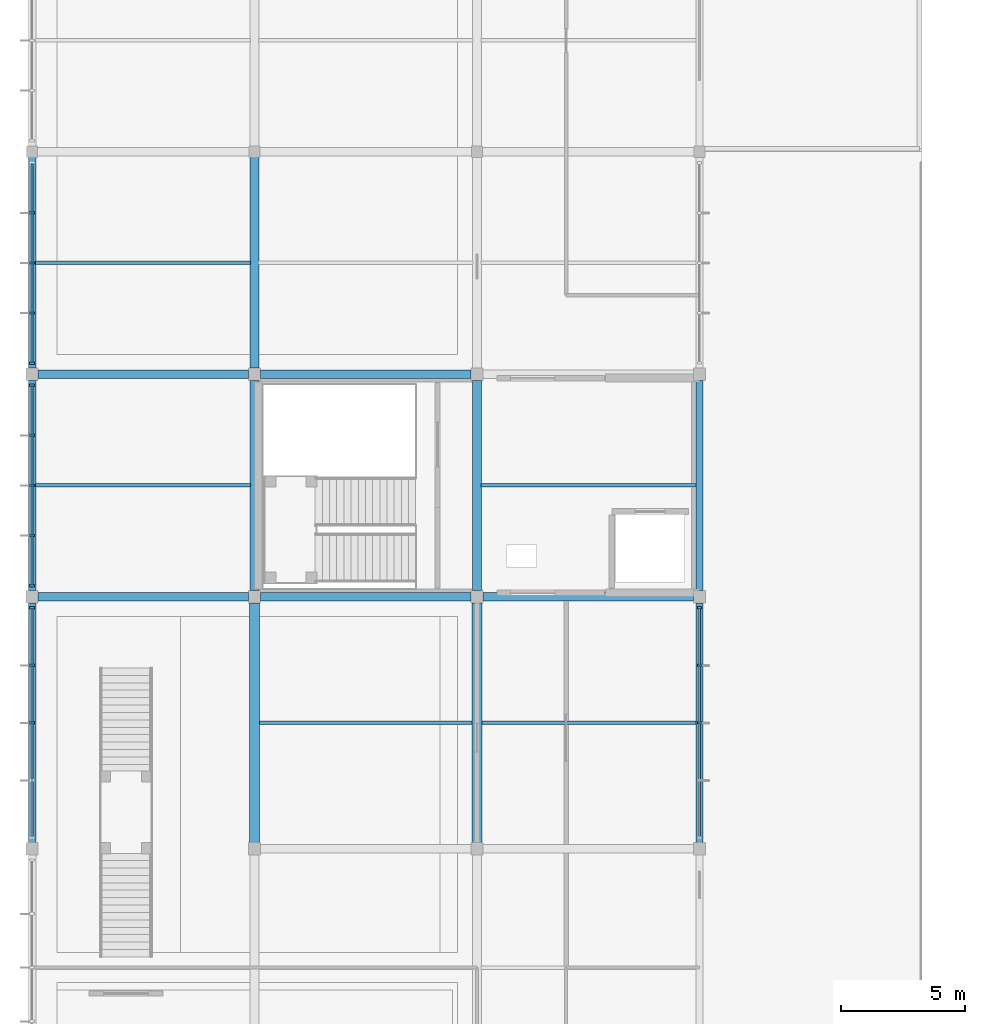
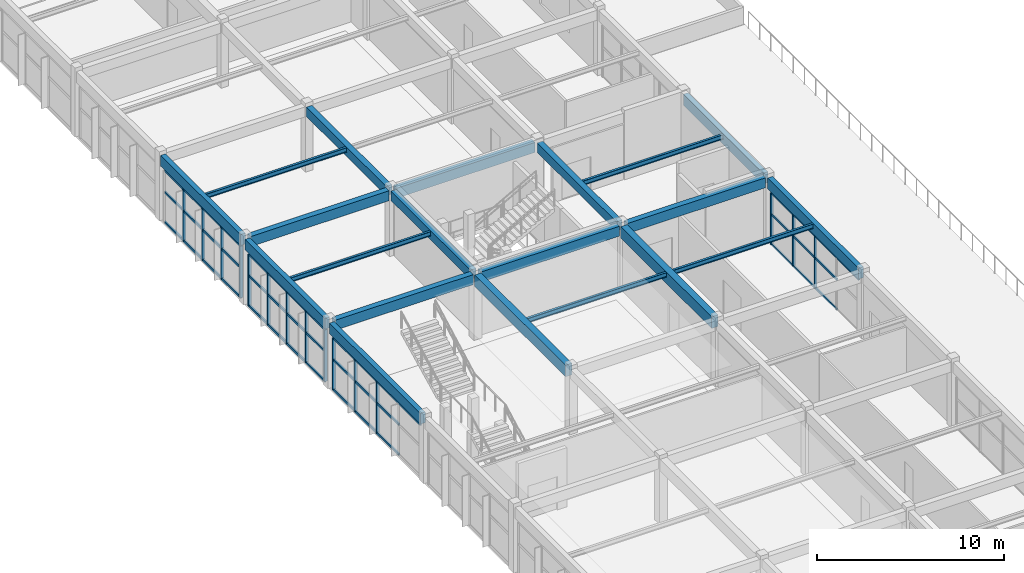
# One storey, part 5 of 22: 47 members, 20 beams, 4 elements without a shape of their own.
"""IFC4 building model written with IfcOpenShell, lengths in metres."""

import ifcopenshell
import ifcopenshell.guid

model = None  # the IFC model being written
_history = None  # IfcOwnerHistory: only IFC2X3 demands one
_inside = {}  # id of a spatial element -> (the spatial element, [elements in it])
_under = {}  # id of a project, library or spatial element -> (it, [spatial elements below it])
_declared = {}  # id of a project -> (the project, [libraries it declares])
_typed = {}  # id of a type object -> (the type object, [elements of that type])
_made_of = {}  # id of a material, layer set ... -> (it, [elements and type objects made of it])


def new_model(schema):
    """Start an empty IFC model of exactly this schema.

    Asked for "IFC4X3", IfcOpenShell would pick the latest addendum, in which some entities
    have other attributes; the version numbers below select the first issue.
    IFC2X3 requires an IfcOwnerHistory on every rooted entity: one is made here for all.
    """
    global model, _history
    if schema == "IFC4X3":
        model = ifcopenshell.file(schema_version=(4, 3, 0, 0))
    else:
        model = ifcopenshell.file(schema=schema)
    _inside.clear()
    _under.clear()
    _declared.clear()
    _typed.clear()
    _made_of.clear()
    _history = None
    if model.schema == "IFC2X3":
        org = make("IfcOrganization", Name="unknown")
        user = make(
            "IfcPersonAndOrganization",
            ThePerson=make("IfcPerson", FamilyName="unknown"),
            TheOrganization=org,
        )
        app = make(
            "IfcApplication",
            ApplicationDeveloper=org,
            Version="unknown",
            ApplicationFullName="unknown",
            ApplicationIdentifier="unknown",
        )
        _history = make(
            "IfcOwnerHistory",
            OwningUser=user,
            OwningApplication=app,
            ChangeAction="ADDED",
            CreationDate=0,
        )
    return model


def make(cls, **values):
    """One entity of the class cls with the attributes given. An attribute that is None is left unset."""
    return model.create_entity(
        cls, **{name: value for name, value in values.items() if value is not None}
    )


def rooted(cls, **values):
    """An entity with a GlobalId (a new one), such as an element, a storey or a relation."""
    return make(cls, GlobalId=ifcopenshell.guid.new(), OwnerHistory=_history, **values)


def si_unit(unit_type, name, prefix=None):
    """IfcSIUnit, for example si_unit("LENGTHUNIT", "METRE", prefix="MILLI")."""
    return make("IfcSIUnit", UnitType=unit_type, Prefix=prefix, Name=name)


def assignment(units):
    """IfcUnitAssignment: the units of a project."""
    return None if units is None else make("IfcUnitAssignment", Units=units)


def point(xyz):
    """IfcCartesianPoint."""
    return None if xyz is None else make("IfcCartesianPoint", Coordinates=xyz)


def direction(xyz):
    """IfcDirection."""
    return None if xyz is None else make("IfcDirection", DirectionRatios=xyz)


def frame(location, z_axis=None, x_axis=None):
    """IfcAxis2Placement3D, a coordinate frame: its origin and axes. An axis left out is left unset."""
    return make(
        "IfcAxis2Placement3D",
        Location=point(location),
        Axis=direction(z_axis),
        RefDirection=direction(x_axis),
    )


def frame_2d(location, x_axis=None):
    """IfcAxis2Placement2D, a coordinate frame in the plane: its origin and x axis."""
    return make(
        "IfcAxis2Placement2D", Location=point(location), RefDirection=direction(x_axis)
    )


def origin():
    """The frame at (0, 0, 0) with its axes left unset."""
    return frame((0.0, 0.0, 0.0))


def origin_2d():
    """The frame at (0, 0) in the plane with its x axis left unset."""
    return frame_2d((0.0, 0.0))


def place(relative_to, where):
    """IfcLocalPlacement: puts the frame where relative to a parent placement (None: the world)."""
    return make(
        "IfcLocalPlacement", PlacementRelTo=relative_to, RelativePlacement=where
    )


def context(
    kind, dimensions, precision=None, world=None, true_north=None, identifier=None
):
    """IfcGeometricRepresentationContext, for example the 3D "Model" context."""
    return make(
        "IfcGeometricRepresentationContext",
        ContextIdentifier=identifier,
        ContextType=kind,
        CoordinateSpaceDimension=dimensions,
        Precision=precision,
        WorldCoordinateSystem=world,
        TrueNorth=true_north,
    )


def subcontext(parent, identifier, kind, view, scale=None):
    """IfcGeometricRepresentationSubContext, for example "Body" below "Model"."""
    return make(
        "IfcGeometricRepresentationSubContext",
        ContextIdentifier=identifier,
        ContextType=kind,
        ParentContext=parent,
        TargetScale=scale,
        TargetView=view,
    )


def project(units=None, contexts=None):
    """IfcProject with its units and contexts."""
    return rooted(
        "IfcProject",
        Name="project",
        RepresentationContexts=contexts,
        UnitsInContext=assignment(units),
    )


def spatial(cls, under=None, at=None, **own):
    """A site, building, storey or space (cls), placed at a placement, below another one or the project."""
    s = rooted(cls, ObjectPlacement=at, **own)
    if under is not None:
        _under.setdefault(under.id(), (under, []))[1].append(s)
    return s


def profile(cls, at=None, kind="AREA", **sizes):
    """A parametric profile (cls). Its sizes go by their IFC names, for example OverallWidth=200.0."""
    return make(cls, ProfileType=kind, Position=at, **sizes)


def rectangle(**sizes):
    """IfcRectangleProfileDef."""
    return profile("IfcRectangleProfileDef", **sizes)


def i_section(**sizes):
    """IfcIShapeProfileDef."""
    return profile("IfcIShapeProfileDef", **sizes)


def extrude(swept, where, along, depth):
    """IfcExtrudedAreaSolid: the profile swept, set in the frame where, extruded along a direction by depth."""
    return make(
        "IfcExtrudedAreaSolid",
        SweptArea=swept,
        Position=where,
        ExtrudedDirection=direction(along),
        Depth=depth,
    )


def shape(context_of_items, identifier, shape_type, items):
    """IfcShapeRepresentation: the items that make up one representation, for example the "Body"."""
    return make(
        "IfcShapeRepresentation",
        ContextOfItems=context_of_items,
        RepresentationIdentifier=identifier,
        RepresentationType=shape_type,
        Items=items,
    )


def material(Name=None, Category=None):
    """IfcMaterial."""
    return make("IfcMaterial", Name=Name, Category=Category)


def material_profile(
    of_material, cross_section, Name=None, Category=None, Priority=None
):
    """IfcMaterialProfile: a cross section and its material."""
    return make(
        "IfcMaterialProfile",
        Name=Name,
        Material=of_material,
        Profile=cross_section,
        Priority=Priority,
        Category=Category,
    )


def profile_set(profiles, Name=None, composite=None):
    """IfcMaterialProfileSet."""
    return make(
        "IfcMaterialProfileSet",
        Name=Name,
        MaterialProfiles=profiles,
        CompositeProfile=composite,
    )


def made_of(thing, what):
    """Note that an element or type object is made of a material, layer set ...; save() writes the relation."""
    if what is not None:
        _made_of.setdefault(what.id(), (what, []))[1].append(thing)
    return thing


def type_object(cls, material=None, **own):
    """A type object (cls), such as IfcWallType, which elements share."""
    return made_of(rooted(cls, **own), material)


def element(
    cls,
    number,
    at=None,
    inside=None,
    cuts=None,
    type_object=None,
    material=None,
    context=None,
    identifier="Body",
    shape_type=None,
    held_by="IfcProductDefinitionShape",
    body=None,
    shapes=None,
    **own,
):
    """One element of the class cls, such as IfcWall. Its Tag is "e" and its number.

    at: its placement. inside: the storey or other place that contains it. cuts: it is an
    opening in that element (IfcRelVoidsElement). A single representation is given by context,
    identifier, shape_type and body (its items); several are given by shapes. held_by: the class
    of the entity that holds the representations. save() writes the other relations.
    """
    e = rooted(cls, Tag="e%d" % number, ObjectPlacement=at, **own)
    if body is not None:
        shapes = [shape(context, identifier, shape_type, body)]
    if shapes is not None:
        e.Representation = make(held_by, Representations=shapes)
    if inside is not None:
        _inside.setdefault(inside.id(), (inside, []))[1].append(e)
    if cuts is not None:
        rooted(
            "IfcRelVoidsElement", RelatingBuildingElement=cuts, RelatedOpeningElement=e
        )
    if type_object is not None:
        _typed.setdefault(type_object.id(), (type_object, []))[1].append(e)
    return made_of(e, material)


def aggregate(whole, parts):
    """IfcRelAggregates: a whole, such as a stair, and the parts it consists of."""
    return rooted("IfcRelAggregates", RelatingObject=whole, RelatedObjects=parts)


def save(model, path):
    """Write the relations noted so far, then the file.

    IfcRelAggregates (storeys below a building ...), IfcRelContainedInSpatialStructure (elements
    in a storey), IfcRelDefinesByType, IfcRelAssociatesMaterial and IfcRelDeclares: one each for
    every whole, place, type object, material and project.
    """
    for whole, parts in _under.values():
        aggregate(whole, parts)
    for where, things in _inside.values():
        rooted(
            "IfcRelContainedInSpatialStructure",
            RelatedElements=things,
            RelatingStructure=where,
        )
    for kind, things in _typed.values():
        rooted("IfcRelDefinesByType", RelatedObjects=things, RelatingType=kind)
    for what, things in _made_of.values():
        rooted("IfcRelAssociatesMaterial", RelatedObjects=things, RelatingMaterial=what)
    for by, libraries in _declared.values():
        rooted("IfcRelDeclares", RelatingContext=by, RelatedDefinitions=libraries)
    model.write(path)


model = new_model("IFC4")

# Units and contexts
model_context = context("Model", 3, precision=1e-05, world=origin(), true_north=direction((0.0, 1.0)))
body_context = subcontext(model_context, "Body", "Model", "MODEL_VIEW")
ifc_project = project(units=[si_unit("LENGTHUNIT", "METRE"), si_unit("AREAUNIT", "SQUARE_METRE"), si_unit("VOLUMEUNIT", "CUBIC_METRE"), si_unit("PLANEANGLEUNIT", "RADIAN"), si_unit("MASSUNIT", "GRAM", prefix="KILO")], contexts=[model_context])

# Site, building, storey
site_placement = place(None, origin())
site = spatial("IfcSite", under=ifc_project, at=site_placement, CompositionType="ELEMENT")
building_placement = place(site_placement, origin())
building = spatial("IfcBuilding", under=site, at=building_placement, Name="Suirenkawa Promenade Aquatics Centre", CompositionType="ELEMENT")
storey_placement = place(building_placement, frame((0.0, 0.0, 14.10009765625)))
storey = spatial("IfcBuildingStorey", under=building, at=storey_placement, Name="L03", CompositionType="ELEMENT", Elevation=14.10009765625)

# Beams
ifc_material_1 = material(Name="Steel IS 2062 E350 (Grade 350)", Category="steel")
ifc_material_profile_1 = material_profile(ifc_material_1, i_section(OverallWidth=0.139892578125, OverallDepth=0.300048828125, WebThickness=0.008056640625, FlangeThickness=0.012939453125, at=origin_2d()), Name="ISMB 300", Category="steel")
ifc_profile_set_1 = profile_set([ifc_material_profile_1], Name="Steel IS 2062 E350 (Grade 350)")
beam_type_1 = type_object("IfcBeamType", Name="BT-JOIST-ISMB300", PredefinedType="JOIST", material=ifc_profile_set_1)
for number, where, z_axis, x_axis, name in (
    (1, (0.14404296875, 63.89990234375, 4.097900390625), (1.0, 0.0, 0.0), (0.0, 1.0, 0.0), "Secondary floor joist JS-02 BM-0813"),
    (2, (0.14404296875, 72.89990234375, 4.097900390625), (1.0, 0.0, 0.0), (0.0, 1.0, 0.0), "Secondary floor joist JS-02 BM-0814"),
):
    element("IfcBeam", number, at=place(storey_placement, frame(where, z_axis=z_axis, x_axis=x_axis)), inside=storey, type_object=beam_type_1, Name=name, PredefinedType="JOIST", context=body_context, shape_type="SweptSolid", body=[
        extrude(i_section(OverallWidth=0.139892578125, OverallDepth=0.300048828125, WebThickness=0.008056640625, FlangeThickness=0.012939453125, at=origin_2d()), origin(), (0.0, 0.0, 1.0), 8.68701171875),
    ])
beam_1_placement = place(storey_placement, frame((9.194091796875, 54.300048828125, 4.097900390625), z_axis=(1.0, 0.0, 0.0), x_axis=(0.0, 1.0, 0.0)))
element("IfcBeam", 3, at=beam_1_placement, inside=storey, type_object=beam_type_1, Name="Secondary floor joist JS-02 BM-0821", PredefinedType="JOIST", context=body_context, shape_type="SweptSolid", body=[
    extrude(i_section(OverallWidth=0.139892578125, OverallDepth=0.300048828125, WebThickness=0.008056640625, FlangeThickness=0.012939453125, at=origin_2d()), origin(), (0.0, 0.0, 1.0), 8.61181640625),
])
beam_2_placement = place(storey_placement, frame((18.194091796875, 54.300048828125, 4.097900390625), z_axis=(1.0, 0.0, 0.0), x_axis=(0.0, 1.0, 0.0)))
element("IfcBeam", 4, at=beam_2_placement, inside=storey, type_object=beam_type_1, Name="Secondary floor joist JS-02 BM-0830", PredefinedType="JOIST", context=body_context, shape_type="SweptSolid", body=[
    extrude(i_section(OverallWidth=0.139892578125, OverallDepth=0.300048828125, WebThickness=0.008056640625, FlangeThickness=0.012939453125, at=origin_2d()), origin(), (0.0, 0.0, 1.0), 8.661865234375),
])
beam_3_placement = place(storey_placement, frame((18.1689453125, 63.89990234375, 4.097900390625), z_axis=(1.0, 0.0, 0.0), x_axis=(0.0, 1.0, 0.0)))
element("IfcBeam", 5, at=beam_3_placement, inside=storey, type_object=beam_type_1, Name="Secondary floor joist JS-02 BM-0831", PredefinedType="JOIST", context=body_context, shape_type="SweptSolid", body=[
    extrude(i_section(OverallWidth=0.139892578125, OverallDepth=0.300048828125, WebThickness=0.008056640625, FlangeThickness=0.012939453125, at=origin_2d()), origin(), (0.0, 0.0, 1.0), 8.68701171875),
])
ifc_material_2 = material(Name="Concrete M35", Category="concrete")
ifc_material_profile_2 = material_profile(ifc_material_2, rectangle(XDim=0.35009765625, YDim=0.60009765625, at=origin_2d()), Name="RC BM 350x600", Category="concrete")
ifc_profile_set_2 = profile_set([ifc_material_profile_2], Name="Concrete M35")
beam_type_2 = type_object("IfcBeamType", Name="BT-RC-350x600", PredefinedType="BEAM", material=ifc_profile_set_2)
beam_4_placement = place(storey_placement, frame((9.0, 59.64404296875, 3.949951171875), z_axis=(0.0, 1.0, 0.0), x_axis=(-1.0, 0.0, 0.0)))
element("IfcBeam", 6, at=beam_4_placement, inside=storey, type_object=beam_type_2, Name="Floor beam BM-02 BM-0784", PredefinedType="BEAM", context=body_context, shape_type="SweptSolid", body=[
    extrude(rectangle(XDim=0.35009765625, YDim=0.60009765625, at=origin_2d()), origin(), (0.0, 0.0, 1.0), 8.511962890625),
])
beam_5_placement = place(storey_placement, frame((9.0, 68.64404296875, 3.949951171875), z_axis=(0.0, 1.0, 0.0), x_axis=(-1.0, 0.0, 0.0)))
element("IfcBeam", 7, at=beam_5_placement, inside=storey, type_object=beam_type_2, Name="Floor beam BM-02 BM-0785", PredefinedType="BEAM", context=body_context, shape_type="SweptSolid", body=[
    extrude(rectangle(XDim=0.35009765625, YDim=0.60009765625, at=origin_2d()), origin(), (0.0, 0.0, 1.0), 8.536865234375),
])
beam_6_placement = place(storey_placement, frame((18.0, 59.64404296875, 3.949951171875), z_axis=(0.0, 1.0, 0.0), x_axis=(-1.0, 0.0, 0.0)))
element("IfcBeam", 8, at=beam_6_placement, inside=storey, type_object=beam_type_2, Name="Floor beam BM-02 BM-0794", PredefinedType="BEAM", context=body_context, shape_type="SweptSolid", body=[
    extrude(rectangle(XDim=0.35009765625, YDim=0.60009765625, at=origin_2d()), origin(), (0.0, 0.0, 1.0), 8.511962890625),
])
ifc_material_profile_3 = material_profile(ifc_material_2, rectangle(XDim=0.35009765625, YDim=0.64990234375, at=origin_2d()), Name="RC BM 350x650", Category="concrete")
ifc_profile_set_3 = profile_set([ifc_material_profile_3], Name="Concrete M35")
beam_type_3 = type_object("IfcBeamType", Name="BT-RC-350x650", PredefinedType="BEAM", material=ifc_profile_set_3)
for number, where, z_axis, x_axis, name in (
    (9, (0.243896484375, 59.39990234375, 3.9248046875), (1.0, 0.0, 0.0), (0.0, 1.0, 0.0), "Floor beam BM-03 BM-0753"),
    (10, (9.243896484375, 59.39990234375, 3.9248046875), (1.0, 0.0, 0.0), (0.0, 1.0, 0.0), "Floor beam BM-03 BM-0754"),
    (11, (18.243896484375, 59.39990234375, 3.9248046875), (1.0, 0.0, 0.0), (0.0, 1.0, 0.0), "Floor beam BM-03 BM-0755"),
    (12, (0.243896484375, 68.39990234375, 3.9248046875), (1.0, 0.0, 0.0), (0.0, 1.0, 0.0), "Floor beam BM-03 BM-0756"),
    (13, (9.243896484375, 68.39990234375, 3.9248046875), (1.0, 0.0, 0.0), (0.0, 1.0, 0.0), "Floor beam BM-03 BM-0757"),
):
    element("IfcBeam", number, at=place(storey_placement, frame(where, z_axis=z_axis, x_axis=x_axis)), inside=storey, type_object=beam_type_3, Name=name, PredefinedType="BEAM", context=body_context, shape_type="SweptSolid", body=[
        extrude(rectangle(XDim=0.35009765625, YDim=0.64990234375, at=origin_2d()), origin(), (0.0, 0.0, 1.0), 8.51220703125),
    ])
ifc_material_3 = material(Name="Concrete M40", Category="concrete")
ifc_material_profile_4 = material_profile(ifc_material_3, rectangle(XDim=0.39990234375, YDim=0.75, at=origin_2d()), Name="RC BM 400x750", Category="concrete")
ifc_profile_set_4 = profile_set([ifc_material_profile_4], Name="Concrete M40")
beam_type_4 = type_object("IfcBeamType", Name="BT-RC-400x750", PredefinedType="BEAM", material=ifc_profile_set_4)
for number, where, z_axis, x_axis, name in (
    (14, (9.0, 49.444091796875, 3.875), (0.0, 1.0, 0.0), (-1.0, 0.0, 0.0), "Floor beam BM-05 BM-0783"),
    (15, (18.0, 49.444091796875, 3.875), (0.0, 1.0, 0.0), (-1.0, 0.0, 0.0), "Floor beam BM-05 BM-0793"),
):
    element("IfcBeam", number, at=place(storey_placement, frame(where, z_axis=z_axis, x_axis=x_axis)), inside=storey, type_object=beam_type_4, Name=name, PredefinedType="BEAM", context=body_context, shape_type="SweptSolid", body=[
        extrude(rectangle(XDim=0.39990234375, YDim=0.75, at=origin_2d()), origin(), (0.0, 0.0, 1.0), 9.7119140625),
    ])
ifc_material_profile_5 = material_profile(ifc_material_3, rectangle(XDim=0.300048828125, YDim=0.699951171875, at=origin_2d()), Name="RC SPANDREL 300x700", Category="concrete")
ifc_profile_set_5 = profile_set([ifc_material_profile_5], Name="Concrete M40")
beam_type_5 = type_object("IfcBeamType", Name="BT-SPANDREL-300x700", PredefinedType="SPANDREL", material=ifc_profile_set_5)
beam_7_placement = place(storey_placement, frame((0.0, 49.444091796875, 3.89990234375), z_axis=(0.0, 1.0, 0.0), x_axis=(-1.0, 0.0, 0.0)))
element("IfcBeam", 16, at=beam_7_placement, inside=storey, type_object=beam_type_5, Name="Floor beam SP-01 BM-0773", PredefinedType="SPANDREL", context=body_context, shape_type="SweptSolid", body=[
    extrude(rectangle(XDim=0.300048828125, YDim=0.699951171875, at=origin_2d()), origin(), (0.0, 0.0, 1.0), 9.7119140625),
])
beam_8_placement = place(storey_placement, frame((0.0, 59.64404296875, 3.89990234375), z_axis=(0.0, 1.0, 0.0), x_axis=(-1.0, 0.0, 0.0)))
element("IfcBeam", 17, at=beam_8_placement, inside=storey, type_object=beam_type_5, Name="Floor beam SP-01 BM-0774", PredefinedType="SPANDREL", context=body_context, shape_type="SweptSolid", body=[
    extrude(rectangle(XDim=0.300048828125, YDim=0.699951171875, at=origin_2d()), origin(), (0.0, 0.0, 1.0), 8.511962890625),
])
beam_9_placement = place(storey_placement, frame((0.0, 68.64404296875, 3.89990234375), z_axis=(0.0, 1.0, 0.0), x_axis=(-1.0, 0.0, 0.0)))
element("IfcBeam", 18, at=beam_9_placement, inside=storey, type_object=beam_type_5, Name="Floor beam SP-01 BM-0775", PredefinedType="SPANDREL", context=body_context, shape_type="SweptSolid", body=[
    extrude(rectangle(XDim=0.300048828125, YDim=0.699951171875, at=origin_2d()), origin(), (0.0, 0.0, 1.0), 8.536865234375),
])
beam_10_placement = place(storey_placement, frame((27.0, 49.444091796875, 3.89990234375), z_axis=(0.0, 1.0, 0.0), x_axis=(-1.0, 0.0, 0.0)))
element("IfcBeam", 19, at=beam_10_placement, inside=storey, type_object=beam_type_5, Name="Floor beam SP-01 BM-0803", PredefinedType="SPANDREL", context=body_context, shape_type="SweptSolid", body=[
    extrude(rectangle(XDim=0.300048828125, YDim=0.699951171875, at=origin_2d()), origin(), (0.0, 0.0, 1.0), 9.7119140625),
])
beam_11_placement = place(storey_placement, frame((27.0, 59.64404296875, 3.89990234375), z_axis=(0.0, 1.0, 0.0), x_axis=(-1.0, 0.0, 0.0)))
element("IfcBeam", 20, at=beam_11_placement, inside=storey, type_object=beam_type_5, Name="Floor beam SP-01 BM-0804", PredefinedType="SPANDREL", context=body_context, shape_type="SweptSolid", body=[
    extrude(rectangle(XDim=0.300048828125, YDim=0.699951171875, at=origin_2d()), origin(), (0.0, 0.0, 1.0), 8.511962890625),
])

# Curtain wall, members
ifc_material_4 = material(Name="Anodised aluminium 6063-T6", Category="aluminium")
curtain_wall_type_1 = type_object("IfcCurtainWallType", Name="CWAT-V5EL03-77", PredefinedType="NOTDEFINED", material=ifc_material_4)
curtain_wall_1_placement = place(storey_placement, origin())
curtain_wall_1 = element("IfcCurtainWall", 21, at=curtain_wall_1_placement, inside=storey, type_object=curtain_wall_type_1, Name="Curtain wall CWA-77 CW-138", PredefinedType="NOTDEFINED")
ifc_material_profile_6 = material_profile(ifc_material_4, rectangle(XDim=0.090087890625, YDim=0.159912109375, at=origin_2d()), Name="ALU MULL 90x160", Category="aluminium")
ifc_profile_set_6 = profile_set([ifc_material_profile_6], Name="Anodised aluminium 6063-T6")
member_type_1 = type_object("IfcMemberType", Name="CWM-160x90", PredefinedType="MULLION", material=ifc_profile_set_6)
member_1_placement = place(storey_placement, frame((27.0, 58.950927734375, 0.0), z_axis=(0.0, 0.0, 1.0), x_axis=(0.0, -1.0, 0.0)))
member_1 = element("IfcMember", 22, at=member_1_placement, type_object=member_type_1, Name="Mullion ML-03 CWM-02795", PredefinedType="MULLION", context=body_context, shape_type="SweptSolid", body=[
    extrude(rectangle(XDim=0.090087890625, YDim=0.159912109375, at=origin_2d()), origin(), (0.0, 0.0, 1.0), 3.369873046875),
])
member_2_placement = place(storey_placement, frame((27.0, 56.62548828125, 0.0), z_axis=(0.0, 0.0, 1.0), x_axis=(0.0, -1.0, 0.0)))
member_2 = element("IfcMember", 23, at=member_2_placement, type_object=member_type_1, Name="Mullion ML-03 CWM-02796", PredefinedType="MULLION", context=body_context, shape_type="SweptSolid", body=[
    extrude(rectangle(XDim=0.090087890625, YDim=0.159912109375, at=origin_2d()), origin(), (0.0, 0.0, 1.0), 3.369873046875),
])
member_3_placement = place(storey_placement, frame((27.0, 54.300048828125, 0.0), z_axis=(0.0, 0.0, 1.0), x_axis=(0.0, -1.0, 0.0)))
member_3 = element("IfcMember", 24, at=member_3_placement, type_object=member_type_1, Name="Mullion ML-03 CWM-02797", PredefinedType="MULLION", context=body_context, shape_type="SweptSolid", body=[
    extrude(rectangle(XDim=0.090087890625, YDim=0.159912109375, at=origin_2d()), origin(), (0.0, 0.0, 1.0), 3.369873046875),
])

curtain_wall_type_2 = type_object("IfcCurtainWallType", Name="CWAT-V5WL03-76", PredefinedType="NOTDEFINED", material=ifc_material_4)
curtain_wall_2_placement = place(storey_placement, origin())
curtain_wall_2 = element("IfcCurtainWall", 25, at=curtain_wall_2_placement, inside=storey, type_object=curtain_wall_type_2, Name="Curtain wall CWA-76 CW-137", PredefinedType="NOTDEFINED")
ifc_material_profile_7 = material_profile(ifc_material_4, rectangle(XDim=0.094970703125, YDim=0.18994140625, at=origin_2d()), Name="ALU MULL 95x190", Category="aluminium")
ifc_profile_set_7 = profile_set([ifc_material_profile_7], Name="Anodised aluminium 6063-T6")
member_type_2 = type_object("IfcMemberType", Name="CWM-190x95", PredefinedType="MULLION", material=ifc_profile_set_7)
member_4_placement = place(storey_placement, frame((0.0, 54.300048828125, 0.0), z_axis=(0.0, 0.0, 1.0), x_axis=(0.0, 1.0, 0.0)))
member_4 = element("IfcMember", 26, at=member_4_placement, type_object=member_type_2, Name="Mullion ML-02 CWM-02775", PredefinedType="MULLION", context=body_context, shape_type="SweptSolid", body=[
    extrude(rectangle(XDim=0.094970703125, YDim=0.18994140625, at=origin_2d()), origin(), (0.0, 0.0, 1.0), 3.369873046875),
])
member_5_placement = place(storey_placement, frame((0.0, 56.62548828125, 0.0), z_axis=(0.0, 0.0, 1.0), x_axis=(0.0, 1.0, 0.0)))
member_5 = element("IfcMember", 27, at=member_5_placement, type_object=member_type_2, Name="Mullion ML-02 CWM-02776", PredefinedType="MULLION", context=body_context, shape_type="SweptSolid", body=[
    extrude(rectangle(XDim=0.094970703125, YDim=0.18994140625, at=origin_2d()), origin(), (0.0, 0.0, 1.0), 3.369873046875),
])
member_6_placement = place(storey_placement, frame((0.0, 58.950927734375, 0.0), z_axis=(0.0, 0.0, 1.0), x_axis=(0.0, 1.0, 0.0)))
member_6 = element("IfcMember", 28, at=member_6_placement, type_object=member_type_2, Name="Mullion ML-02 CWM-02777", PredefinedType="MULLION", context=body_context, shape_type="SweptSolid", body=[
    extrude(rectangle(XDim=0.094970703125, YDim=0.18994140625, at=origin_2d()), origin(), (0.0, 0.0, 1.0), 3.369873046875),
])

curtain_wall_type_3 = type_object("IfcCurtainWallType", Name="CWAT-V5WL03-71", PredefinedType="NOTDEFINED", material=ifc_material_4)
curtain_wall_3_placement = place(storey_placement, origin())
curtain_wall_3 = element("IfcCurtainWall", 29, at=curtain_wall_3_placement, inside=storey, type_object=curtain_wall_type_3, Name="Curtain wall CWA-71 CW-139", PredefinedType="NOTDEFINED")
member_7_placement = place(storey_placement, frame((0.0, 59.84912109375, 0.0), z_axis=(0.0, 0.0, 1.0), x_axis=(0.0, 1.0, 0.0)))
member_7 = element("IfcMember", 30, at=member_7_placement, type_object=member_type_2, Name="Mullion ML-02 CWM-02817", PredefinedType="MULLION", context=body_context, shape_type="SweptSolid", body=[
    extrude(rectangle(XDim=0.094970703125, YDim=0.18994140625, at=origin_2d()), origin(), (0.0, 0.0, 1.0), 3.369873046875),
])
member_8_placement = place(storey_placement, frame((0.0, 61.87451171875, 0.0), z_axis=(0.0, 0.0, 1.0), x_axis=(0.0, 1.0, 0.0)))
member_8 = element("IfcMember", 31, at=member_8_placement, type_object=member_type_2, Name="Mullion ML-02 CWM-02818", PredefinedType="MULLION", context=body_context, shape_type="SweptSolid", body=[
    extrude(rectangle(XDim=0.094970703125, YDim=0.18994140625, at=origin_2d()), origin(), (0.0, 0.0, 1.0), 3.369873046875),
])
member_9_placement = place(storey_placement, frame((0.0, 63.89990234375, 0.0), z_axis=(0.0, 0.0, 1.0), x_axis=(0.0, 1.0, 0.0)))
member_9 = element("IfcMember", 32, at=member_9_placement, type_object=member_type_2, Name="Mullion ML-02 CWM-02819", PredefinedType="MULLION", context=body_context, shape_type="SweptSolid", body=[
    extrude(rectangle(XDim=0.094970703125, YDim=0.18994140625, at=origin_2d()), origin(), (0.0, 0.0, 1.0), 3.369873046875),
])
member_10_placement = place(storey_placement, frame((0.0, 65.925537109375, 0.0), z_axis=(0.0, 0.0, 1.0), x_axis=(0.0, 1.0, 0.0)))
member_10 = element("IfcMember", 33, at=member_10_placement, type_object=member_type_2, Name="Mullion ML-02 CWM-02820", PredefinedType="MULLION", context=body_context, shape_type="SweptSolid", body=[
    extrude(rectangle(XDim=0.094970703125, YDim=0.18994140625, at=origin_2d()), origin(), (0.0, 0.0, 1.0), 3.369873046875),
])
member_11_placement = place(storey_placement, frame((0.0, 67.950927734375, 0.0), z_axis=(0.0, 0.0, 1.0), x_axis=(0.0, 1.0, 0.0)))
member_11 = element("IfcMember", 34, at=member_11_placement, type_object=member_type_2, Name="Mullion ML-02 CWM-02821", PredefinedType="MULLION", context=body_context, shape_type="SweptSolid", body=[
    extrude(rectangle(XDim=0.094970703125, YDim=0.18994140625, at=origin_2d()), origin(), (0.0, 0.0, 1.0), 3.369873046875),
])

curtain_wall_4_placement = place(storey_placement, origin())
curtain_wall_4 = element("IfcCurtainWall", 35, at=curtain_wall_4_placement, inside=storey, type_object=curtain_wall_type_3, Name="Curtain wall CWA-71 CW-140", PredefinedType="NOTDEFINED")
member_12_placement = place(storey_placement, frame((0.0, 68.84912109375, 0.0), z_axis=(0.0, 0.0, 1.0), x_axis=(0.0, 1.0, 0.0)))
member_12 = element("IfcMember", 36, at=member_12_placement, type_object=member_type_2, Name="Mullion ML-02 CWM-02839", PredefinedType="MULLION", context=body_context, shape_type="SweptSolid", body=[
    extrude(rectangle(XDim=0.094970703125, YDim=0.18994140625, at=origin_2d()), origin(), (0.0, 0.0, 1.0), 3.369873046875),
])
member_13_placement = place(storey_placement, frame((0.0, 70.87451171875, 0.0), z_axis=(0.0, 0.0, 1.0), x_axis=(0.0, 1.0, 0.0)))
member_13 = element("IfcMember", 37, at=member_13_placement, type_object=member_type_2, Name="Mullion ML-02 CWM-02840", PredefinedType="MULLION", context=body_context, shape_type="SweptSolid", body=[
    extrude(rectangle(XDim=0.094970703125, YDim=0.18994140625, at=origin_2d()), origin(), (0.0, 0.0, 1.0), 3.369873046875),
])
member_14_placement = place(storey_placement, frame((0.0, 72.89990234375, 0.0), z_axis=(0.0, 0.0, 1.0), x_axis=(0.0, 1.0, 0.0)))
member_14 = element("IfcMember", 38, at=member_14_placement, type_object=member_type_2, Name="Mullion ML-02 CWM-02841", PredefinedType="MULLION", context=body_context, shape_type="SweptSolid", body=[
    extrude(rectangle(XDim=0.094970703125, YDim=0.18994140625, at=origin_2d()), origin(), (0.0, 0.0, 1.0), 3.369873046875),
])
member_15_placement = place(storey_placement, frame((0.0, 74.925537109375, 0.0), z_axis=(0.0, 0.0, 1.0), x_axis=(0.0, 1.0, 0.0)))
member_15 = element("IfcMember", 39, at=member_15_placement, type_object=member_type_2, Name="Mullion ML-02 CWM-02842", PredefinedType="MULLION", context=body_context, shape_type="SweptSolid", body=[
    extrude(rectangle(XDim=0.094970703125, YDim=0.18994140625, at=origin_2d()), origin(), (0.0, 0.0, 1.0), 3.369873046875),
])

# Member
ifc_material_profile_8 = material_profile(ifc_material_4, rectangle(XDim=0.090087890625, YDim=0.1298828125, at=origin_2d()), Name="ALU TRAN 90x130", Category="aluminium")
ifc_profile_set_8 = profile_set([ifc_material_profile_8], Name="Anodised aluminium 6063-T6")
member_type_3 = type_object("IfcMemberType", Name="CWT-130x90", PredefinedType="USERDEFINED", material=ifc_profile_set_8)
member_16_placement = place(storey_placement, frame((27.0, 58.950927734375, 0.0), z_axis=(0.0, -1.0, 0.0), x_axis=(1.0, 0.0, 0.0)))
member_16 = element("IfcMember", 40, at=member_16_placement, type_object=member_type_3, Name="Transom TR-03 CWT-02800", ObjectType="TRANSOM", PredefinedType="USERDEFINED", context=body_context, shape_type="SweptSolid", body=[
    extrude(rectangle(XDim=0.090087890625, YDim=0.1298828125, at=origin_2d()), origin(), (0.0, 0.0, 1.0), 2.325439453125),
])

member_17_placement = place(storey_placement, frame((27.0, 56.62548828125, 0.0), z_axis=(0.0, -1.0, 0.0), x_axis=(1.0, 0.0, 0.0)))
member_17 = element("IfcMember", 41, at=member_17_placement, type_object=member_type_3, Name="Transom TR-03 CWT-02801", ObjectType="TRANSOM", PredefinedType="USERDEFINED", context=body_context, shape_type="SweptSolid", body=[
    extrude(rectangle(XDim=0.090087890625, YDim=0.1298828125, at=origin_2d()), origin(), (0.0, 0.0, 1.0), 2.325439453125),
])

member_18_placement = place(storey_placement, frame((27.0, 54.300048828125, 0.0), z_axis=(0.0, -1.0, 0.0), x_axis=(1.0, 0.0, 0.0)))
member_18 = element("IfcMember", 42, at=member_18_placement, type_object=member_type_3, Name="Transom TR-03 CWT-02802", ObjectType="TRANSOM", PredefinedType="USERDEFINED", context=body_context, shape_type="SweptSolid", body=[
    extrude(rectangle(XDim=0.090087890625, YDim=0.1298828125, at=origin_2d()), origin(), (0.0, 0.0, 1.0), 2.325439453125),
])

member_19_placement = place(storey_placement, frame((27.0, 58.950927734375, 1.949951171875), z_axis=(0.0, -1.0, 0.0), x_axis=(1.0, 0.0, 0.0)))
member_19 = element("IfcMember", 43, at=member_19_placement, type_object=member_type_3, Name="Transom TR-03 CWT-02804", ObjectType="TRANSOM", PredefinedType="USERDEFINED", context=body_context, shape_type="SweptSolid", body=[
    extrude(rectangle(XDim=0.090087890625, YDim=0.1298828125, at=origin_2d()), origin(), (0.0, 0.0, 1.0), 2.325439453125),
])

member_20_placement = place(storey_placement, frame((27.0, 56.62548828125, 1.949951171875), z_axis=(0.0, -1.0, 0.0), x_axis=(1.0, 0.0, 0.0)))
member_20 = element("IfcMember", 44, at=member_20_placement, type_object=member_type_3, Name="Transom TR-03 CWT-02805", ObjectType="TRANSOM", PredefinedType="USERDEFINED", context=body_context, shape_type="SweptSolid", body=[
    extrude(rectangle(XDim=0.090087890625, YDim=0.1298828125, at=origin_2d()), origin(), (0.0, 0.0, 1.0), 2.325439453125),
])

member_21_placement = place(storey_placement, frame((27.0, 54.300048828125, 1.949951171875), z_axis=(0.0, -1.0, 0.0), x_axis=(1.0, 0.0, 0.0)))
member_21 = element("IfcMember", 45, at=member_21_placement, type_object=member_type_3, Name="Transom TR-03 CWT-02806", ObjectType="TRANSOM", PredefinedType="USERDEFINED", context=body_context, shape_type="SweptSolid", body=[
    extrude(rectangle(XDim=0.090087890625, YDim=0.1298828125, at=origin_2d()), origin(), (0.0, 0.0, 1.0), 2.325439453125),
])

member_22_placement = place(storey_placement, frame((27.0, 58.950927734375, 3.369873046875), z_axis=(0.0, -1.0, 0.0), x_axis=(1.0, 0.0, 0.0)))
member_22 = element("IfcMember", 46, at=member_22_placement, type_object=member_type_3, Name="Roofline transom TR-03 CWT-02808", ObjectType="TRANSOM", PredefinedType="USERDEFINED", context=body_context, shape_type="SweptSolid", body=[
    extrude(rectangle(XDim=0.090087890625, YDim=0.1298828125, at=origin_2d()), origin(), (0.0, 0.0, 1.0), 9.302001953125),
])

aggregate(curtain_wall_1, [member_1, member_2, member_3, member_16, member_17, member_18, member_19, member_20, member_21, member_22])

ifc_material_profile_9 = material_profile(ifc_material_4, rectangle(XDim=0.094970703125, YDim=0.14990234375, at=origin_2d()), Name="ALU TRAN 95x150", Category="aluminium")
ifc_profile_set_9 = profile_set([ifc_material_profile_9], Name="Anodised aluminium 6063-T6")
member_type_4 = type_object("IfcMemberType", Name="CWT-150x95", PredefinedType="USERDEFINED", material=ifc_profile_set_9)
member_23_placement = place(storey_placement, frame((0.0, 51.974609375, 0.0), z_axis=(0.0, 1.0, 0.0), x_axis=(-1.0, 0.0, 0.0)))
member_23 = element("IfcMember", 47, at=member_23_placement, type_object=member_type_4, Name="Transom TR-02 CWT-02779", ObjectType="TRANSOM", PredefinedType="USERDEFINED", context=body_context, shape_type="SweptSolid", body=[
    extrude(rectangle(XDim=0.094970703125, YDim=0.14990234375, at=origin_2d()), origin(), (0.0, 0.0, 1.0), 2.325439453125),
])

member_24_placement = place(storey_placement, frame((0.0, 54.300048828125, 0.0), z_axis=(0.0, 1.0, 0.0), x_axis=(-1.0, 0.0, 0.0)))
member_24 = element("IfcMember", 48, at=member_24_placement, type_object=member_type_4, Name="Transom TR-02 CWT-02780", ObjectType="TRANSOM", PredefinedType="USERDEFINED", context=body_context, shape_type="SweptSolid", body=[
    extrude(rectangle(XDim=0.094970703125, YDim=0.14990234375, at=origin_2d()), origin(), (0.0, 0.0, 1.0), 2.325439453125),
])

member_25_placement = place(storey_placement, frame((0.0, 56.62548828125, 0.0), z_axis=(0.0, 1.0, 0.0), x_axis=(-1.0, 0.0, 0.0)))
member_25 = element("IfcMember", 49, at=member_25_placement, type_object=member_type_4, Name="Transom TR-02 CWT-02781", ObjectType="TRANSOM", PredefinedType="USERDEFINED", context=body_context, shape_type="SweptSolid", body=[
    extrude(rectangle(XDim=0.094970703125, YDim=0.14990234375, at=origin_2d()), origin(), (0.0, 0.0, 1.0), 2.325439453125),
])

member_26_placement = place(storey_placement, frame((0.0, 51.974609375, 1.949951171875), z_axis=(0.0, 1.0, 0.0), x_axis=(-1.0, 0.0, 0.0)))
member_26 = element("IfcMember", 50, at=member_26_placement, type_object=member_type_4, Name="Transom TR-02 CWT-02783", ObjectType="TRANSOM", PredefinedType="USERDEFINED", context=body_context, shape_type="SweptSolid", body=[
    extrude(rectangle(XDim=0.094970703125, YDim=0.14990234375, at=origin_2d()), origin(), (0.0, 0.0, 1.0), 2.325439453125),
])

member_27_placement = place(storey_placement, frame((0.0, 54.300048828125, 1.949951171875), z_axis=(0.0, 1.0, 0.0), x_axis=(-1.0, 0.0, 0.0)))
member_27 = element("IfcMember", 51, at=member_27_placement, type_object=member_type_4, Name="Transom TR-02 CWT-02784", ObjectType="TRANSOM", PredefinedType="USERDEFINED", context=body_context, shape_type="SweptSolid", body=[
    extrude(rectangle(XDim=0.094970703125, YDim=0.14990234375, at=origin_2d()), origin(), (0.0, 0.0, 1.0), 2.325439453125),
])

member_28_placement = place(storey_placement, frame((0.0, 56.62548828125, 1.949951171875), z_axis=(0.0, 1.0, 0.0), x_axis=(-1.0, 0.0, 0.0)))
member_28 = element("IfcMember", 52, at=member_28_placement, type_object=member_type_4, Name="Transom TR-02 CWT-02785", ObjectType="TRANSOM", PredefinedType="USERDEFINED", context=body_context, shape_type="SweptSolid", body=[
    extrude(rectangle(XDim=0.094970703125, YDim=0.14990234375, at=origin_2d()), origin(), (0.0, 0.0, 1.0), 2.325439453125),
])

member_29_placement = place(storey_placement, frame((0.0, 49.64892578125, 3.369873046875), z_axis=(0.0, 1.0, 0.0), x_axis=(-1.0, 0.0, 0.0)))
member_29 = element("IfcMember", 53, at=member_29_placement, type_object=member_type_4, Name="Roofline transom TR-02 CWT-02786", ObjectType="TRANSOM", PredefinedType="USERDEFINED", context=body_context, shape_type="SweptSolid", body=[
    extrude(rectangle(XDim=0.094970703125, YDim=0.14990234375, at=origin_2d()), origin(), (0.0, 0.0, 1.0), 9.302001953125),
])

aggregate(curtain_wall_2, [member_4, member_5, member_6, member_23, member_24, member_25, member_26, member_27, member_28, member_29])

member_30_placement = place(storey_placement, frame((0.0, 59.84912109375, 0.0), z_axis=(0.0, 1.0, 0.0), x_axis=(-1.0, 0.0, 0.0)))
member_30 = element("IfcMember", 54, at=member_30_placement, type_object=member_type_4, Name="Transom TR-02 CWT-02822", ObjectType="TRANSOM", PredefinedType="USERDEFINED", context=body_context, shape_type="SweptSolid", body=[
    extrude(rectangle(XDim=0.094970703125, YDim=0.14990234375, at=origin_2d()), origin(), (0.0, 0.0, 1.0), 2.025390625),
])

member_31_placement = place(storey_placement, frame((0.0, 61.87451171875, 0.0), z_axis=(0.0, 1.0, 0.0), x_axis=(-1.0, 0.0, 0.0)))
member_31 = element("IfcMember", 55, at=member_31_placement, type_object=member_type_4, Name="Transom TR-02 CWT-02823", ObjectType="TRANSOM", PredefinedType="USERDEFINED", context=body_context, shape_type="SweptSolid", body=[
    extrude(rectangle(XDim=0.094970703125, YDim=0.14990234375, at=origin_2d()), origin(), (0.0, 0.0, 1.0), 2.025390625),
])

member_32_placement = place(storey_placement, frame((0.0, 63.89990234375, 0.0), z_axis=(0.0, 1.0, 0.0), x_axis=(-1.0, 0.0, 0.0)))
member_32 = element("IfcMember", 56, at=member_32_placement, type_object=member_type_4, Name="Transom TR-02 CWT-02824", ObjectType="TRANSOM", PredefinedType="USERDEFINED", context=body_context, shape_type="SweptSolid", body=[
    extrude(rectangle(XDim=0.094970703125, YDim=0.14990234375, at=origin_2d()), origin(), (0.0, 0.0, 1.0), 2.025634765625),
])

member_33_placement = place(storey_placement, frame((0.0, 65.925537109375, 0.0), z_axis=(0.0, 1.0, 0.0), x_axis=(-1.0, 0.0, 0.0)))
member_33 = element("IfcMember", 57, at=member_33_placement, type_object=member_type_4, Name="Transom TR-02 CWT-02825", ObjectType="TRANSOM", PredefinedType="USERDEFINED", context=body_context, shape_type="SweptSolid", body=[
    extrude(rectangle(XDim=0.094970703125, YDim=0.14990234375, at=origin_2d()), origin(), (0.0, 0.0, 1.0), 2.025390625),
])

member_34_placement = place(storey_placement, frame((0.0, 59.84912109375, 1.949951171875), z_axis=(0.0, 1.0, 0.0), x_axis=(-1.0, 0.0, 0.0)))
member_34 = element("IfcMember", 58, at=member_34_placement, type_object=member_type_4, Name="Transom TR-02 CWT-02826", ObjectType="TRANSOM", PredefinedType="USERDEFINED", context=body_context, shape_type="SweptSolid", body=[
    extrude(rectangle(XDim=0.094970703125, YDim=0.14990234375, at=origin_2d()), origin(), (0.0, 0.0, 1.0), 2.025390625),
])

member_35_placement = place(storey_placement, frame((0.0, 61.87451171875, 1.949951171875), z_axis=(0.0, 1.0, 0.0), x_axis=(-1.0, 0.0, 0.0)))
member_35 = element("IfcMember", 59, at=member_35_placement, type_object=member_type_4, Name="Transom TR-02 CWT-02827", ObjectType="TRANSOM", PredefinedType="USERDEFINED", context=body_context, shape_type="SweptSolid", body=[
    extrude(rectangle(XDim=0.094970703125, YDim=0.14990234375, at=origin_2d()), origin(), (0.0, 0.0, 1.0), 2.025390625),
])

member_36_placement = place(storey_placement, frame((0.0, 63.89990234375, 1.949951171875), z_axis=(0.0, 1.0, 0.0), x_axis=(-1.0, 0.0, 0.0)))
member_36 = element("IfcMember", 60, at=member_36_placement, type_object=member_type_4, Name="Transom TR-02 CWT-02828", ObjectType="TRANSOM", PredefinedType="USERDEFINED", context=body_context, shape_type="SweptSolid", body=[
    extrude(rectangle(XDim=0.094970703125, YDim=0.14990234375, at=origin_2d()), origin(), (0.0, 0.0, 1.0), 2.025634765625),
])

member_37_placement = place(storey_placement, frame((0.0, 65.925537109375, 1.949951171875), z_axis=(0.0, 1.0, 0.0), x_axis=(-1.0, 0.0, 0.0)))
member_37 = element("IfcMember", 61, at=member_37_placement, type_object=member_type_4, Name="Transom TR-02 CWT-02829", ObjectType="TRANSOM", PredefinedType="USERDEFINED", context=body_context, shape_type="SweptSolid", body=[
    extrude(rectangle(XDim=0.094970703125, YDim=0.14990234375, at=origin_2d()), origin(), (0.0, 0.0, 1.0), 2.025390625),
])

member_38_placement = place(storey_placement, frame((0.0, 59.84912109375, 3.369873046875), z_axis=(0.0, 1.0, 0.0), x_axis=(-1.0, 0.0, 0.0)))
member_38 = element("IfcMember", 62, at=member_38_placement, type_object=member_type_4, Name="Roofline transom TR-02 CWT-02830", ObjectType="TRANSOM", PredefinedType="USERDEFINED", context=body_context, shape_type="SweptSolid", body=[
    extrude(rectangle(XDim=0.094970703125, YDim=0.14990234375, at=origin_2d()), origin(), (0.0, 0.0, 1.0), 8.101806640625),
])

aggregate(curtain_wall_3, [member_7, member_8, member_9, member_10, member_11, member_30, member_31, member_32, member_33, member_34, member_35, member_36, member_37, member_38])

member_39_placement = place(storey_placement, frame((0.0, 68.84912109375, 0.0), z_axis=(0.0, 1.0, 0.0), x_axis=(-1.0, 0.0, 0.0)))
member_39 = element("IfcMember", 63, at=member_39_placement, type_object=member_type_4, Name="Transom TR-02 CWT-02844", ObjectType="TRANSOM", PredefinedType="USERDEFINED", context=body_context, shape_type="SweptSolid", body=[
    extrude(rectangle(XDim=0.094970703125, YDim=0.14990234375, at=origin_2d()), origin(), (0.0, 0.0, 1.0), 2.025390625),
])

member_40_placement = place(storey_placement, frame((0.0, 70.87451171875, 0.0), z_axis=(0.0, 1.0, 0.0), x_axis=(-1.0, 0.0, 0.0)))
member_40 = element("IfcMember", 64, at=member_40_placement, type_object=member_type_4, Name="Transom TR-02 CWT-02845", ObjectType="TRANSOM", PredefinedType="USERDEFINED", context=body_context, shape_type="SweptSolid", body=[
    extrude(rectangle(XDim=0.094970703125, YDim=0.14990234375, at=origin_2d()), origin(), (0.0, 0.0, 1.0), 2.025390625),
])

member_41_placement = place(storey_placement, frame((0.0, 72.89990234375, 0.0), z_axis=(0.0, 1.0, 0.0), x_axis=(-1.0, 0.0, 0.0)))
member_41 = element("IfcMember", 65, at=member_41_placement, type_object=member_type_4, Name="Transom TR-02 CWT-02846", ObjectType="TRANSOM", PredefinedType="USERDEFINED", context=body_context, shape_type="SweptSolid", body=[
    extrude(rectangle(XDim=0.094970703125, YDim=0.14990234375, at=origin_2d()), origin(), (0.0, 0.0, 1.0), 2.025634765625),
])

member_42_placement = place(storey_placement, frame((0.0, 74.925537109375, 0.0), z_axis=(0.0, 1.0, 0.0), x_axis=(-1.0, 0.0, 0.0)))
member_42 = element("IfcMember", 66, at=member_42_placement, type_object=member_type_4, Name="Transom TR-02 CWT-02847", ObjectType="TRANSOM", PredefinedType="USERDEFINED", context=body_context, shape_type="SweptSolid", body=[
    extrude(rectangle(XDim=0.094970703125, YDim=0.14990234375, at=origin_2d()), origin(), (0.0, 0.0, 1.0), 2.025390625),
])

member_43_placement = place(storey_placement, frame((0.0, 68.84912109375, 1.949951171875), z_axis=(0.0, 1.0, 0.0), x_axis=(-1.0, 0.0, 0.0)))
member_43 = element("IfcMember", 67, at=member_43_placement, type_object=member_type_4, Name="Transom TR-02 CWT-02848", ObjectType="TRANSOM", PredefinedType="USERDEFINED", context=body_context, shape_type="SweptSolid", body=[
    extrude(rectangle(XDim=0.094970703125, YDim=0.14990234375, at=origin_2d()), origin(), (0.0, 0.0, 1.0), 2.025390625),
])

member_44_placement = place(storey_placement, frame((0.0, 70.87451171875, 1.949951171875), z_axis=(0.0, 1.0, 0.0), x_axis=(-1.0, 0.0, 0.0)))
member_44 = element("IfcMember", 68, at=member_44_placement, type_object=member_type_4, Name="Transom TR-02 CWT-02849", ObjectType="TRANSOM", PredefinedType="USERDEFINED", context=body_context, shape_type="SweptSolid", body=[
    extrude(rectangle(XDim=0.094970703125, YDim=0.14990234375, at=origin_2d()), origin(), (0.0, 0.0, 1.0), 2.025390625),
])

member_45_placement = place(storey_placement, frame((0.0, 72.89990234375, 1.949951171875), z_axis=(0.0, 1.0, 0.0), x_axis=(-1.0, 0.0, 0.0)))
member_45 = element("IfcMember", 69, at=member_45_placement, type_object=member_type_4, Name="Transom TR-02 CWT-02850", ObjectType="TRANSOM", PredefinedType="USERDEFINED", context=body_context, shape_type="SweptSolid", body=[
    extrude(rectangle(XDim=0.094970703125, YDim=0.14990234375, at=origin_2d()), origin(), (0.0, 0.0, 1.0), 2.025634765625),
])

member_46_placement = place(storey_placement, frame((0.0, 74.925537109375, 1.949951171875), z_axis=(0.0, 1.0, 0.0), x_axis=(-1.0, 0.0, 0.0)))
member_46 = element("IfcMember", 70, at=member_46_placement, type_object=member_type_4, Name="Transom TR-02 CWT-02851", ObjectType="TRANSOM", PredefinedType="USERDEFINED", context=body_context, shape_type="SweptSolid", body=[
    extrude(rectangle(XDim=0.094970703125, YDim=0.14990234375, at=origin_2d()), origin(), (0.0, 0.0, 1.0), 2.025390625),
])

member_47_placement = place(storey_placement, frame((0.0, 68.84912109375, 3.369873046875), z_axis=(0.0, 1.0, 0.0), x_axis=(-1.0, 0.0, 0.0)))
member_47 = element("IfcMember", 71, at=member_47_placement, type_object=member_type_4, Name="Roofline transom TR-02 CWT-02852", ObjectType="TRANSOM", PredefinedType="USERDEFINED", context=body_context, shape_type="SweptSolid", body=[
    extrude(rectangle(XDim=0.094970703125, YDim=0.14990234375, at=origin_2d()), origin(), (0.0, 0.0, 1.0), 8.101806640625),
])

aggregate(curtain_wall_4, [member_12, member_13, member_14, member_15, member_39, member_40, member_41, member_42, member_43, member_44, member_45, member_46, member_47])

save(model, "model.ifc")
